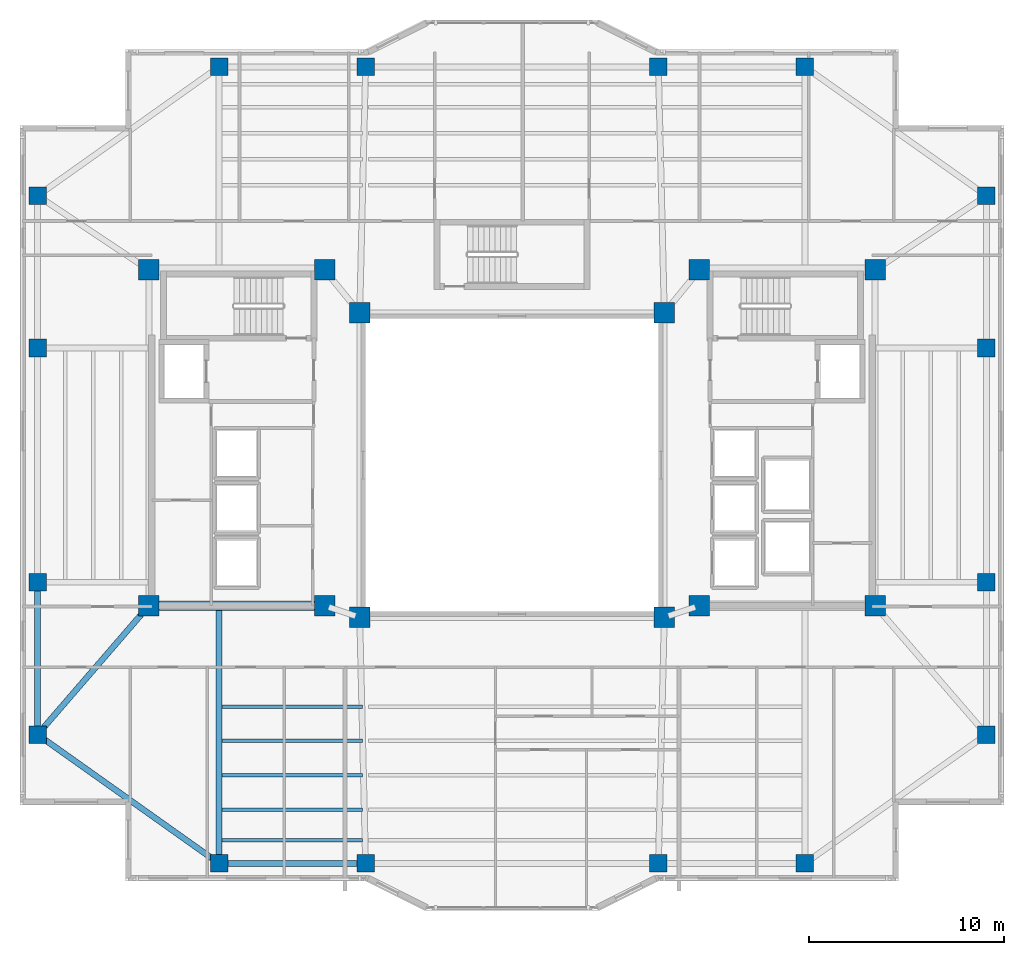
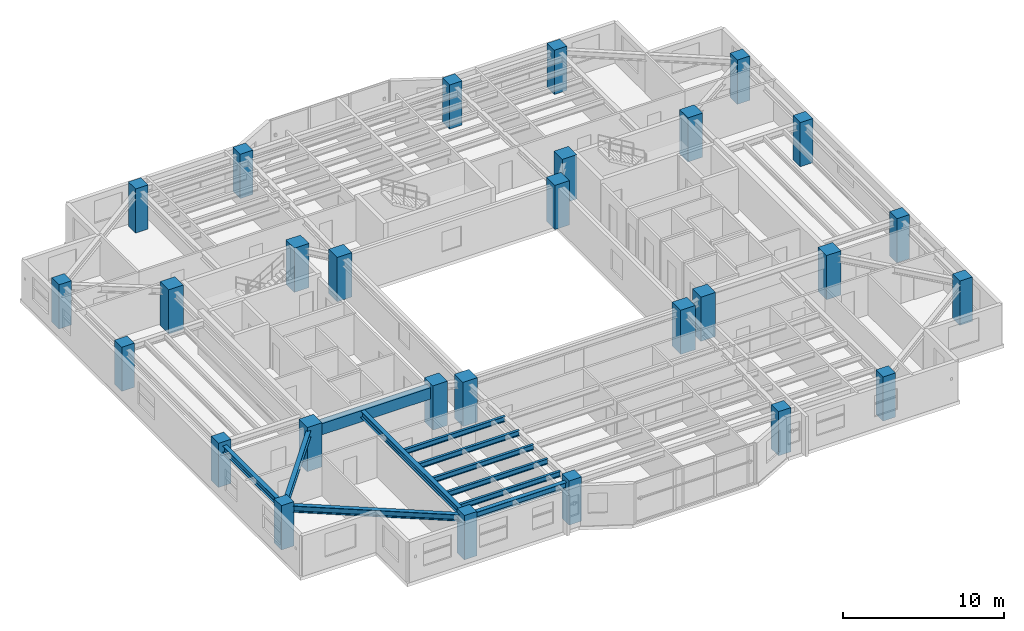
# One storey, part 1 of 15: 28 columns, 11 beams.
"""IFC4 building model written with IfcOpenShell, lengths in metres."""

from ifc_helpers import new_model, si_unit, direction, frame, origin, origin_2d, place, context, subcontext, project, spatial, rectangle, i_section, extrude, material, material_profile, profile_set, type_object, element, save


model = new_model("IFC4")

# Units and contexts
model_context = context("Model", 3, precision=1e-05, world=origin(), true_north=direction((0.0, 1.0)))
body_context = subcontext(model_context, "Body", "Model", "MODEL_VIEW")
ifc_project = project(units=[si_unit("LENGTHUNIT", "METRE"), si_unit("AREAUNIT", "SQUARE_METRE"), si_unit("VOLUMEUNIT", "CUBIC_METRE"), si_unit("PLANEANGLEUNIT", "RADIAN"), si_unit("MASSUNIT", "GRAM", prefix="KILO")], contexts=[model_context])

# Site, building, storey
site_placement = place(None, origin())
site = spatial("IfcSite", under=ifc_project, at=site_placement, CompositionType="ELEMENT")
building_placement = place(site_placement, origin())
building = spatial("IfcBuilding", under=site, at=building_placement, Name="Tarnavaz Court Tower", CompositionType="ELEMENT")
storey_placement = place(building_placement, frame((0.0, 0.0, 169.449951171875)))
storey = spatial("IfcBuildingStorey", under=building, at=storey_placement, Name="L46", CompositionType="ELEMENT", Elevation=169.449951171875)

# Columns
ifc_material_1 = material(Name="Concrete C60/75", Category="concrete")
ifc_material_profile_1 = material_profile(ifc_material_1, rectangle(XDim=1.050048828125, YDim=1.050048828125, at=origin_2d()), Name="RC 1050X1050")
ifc_profile_set_1 = profile_set([ifc_material_profile_1], Name="Concrete C60/75")
column_type_1 = type_object("IfcColumnType", Name="CL-RC1050", PredefinedType="COLUMN", material=ifc_profile_set_1)
for number, where, z_axis, x_axis, name in (
    (1, (-7.800048828125, -7.800048828125, 0.0), (0.0, 0.0, 1.0), (1.0, 0.0, 0.0), "L46 Column IW-SW"),
    (2, (7.800048828125, -7.800048828125, 0.0), (0.0, 0.0, 1.0), (1.0, 0.0, 0.0), "L46 Column IW-SE"),
    (3, (-7.800048828125, 7.800048828125, 0.0), (0.0, 0.0, 1.0), (1.0, 0.0, 0.0), "L46 Column IW-NW"),
    (4, (7.800048828125, 7.800048828125, 0.0), (0.0, 0.0, 1.0), (1.0, 0.0, 0.0), "L46 Column IW-NE"),
    (5, (-9.60009765625, -7.199951171875, 0.0), (0.0, 0.0, 1.0), (1.0, 0.0, 0.0), "L46 Column CW-SI"),
    (6, (-9.60009765625, 10.0, 0.0), (0.0, 0.0, 1.0), (1.0, 0.0, 0.0), "L46 Column CW-NI"),
    (7, (9.60009765625, -7.199951171875, 0.0), (0.0, 0.0, 1.0), (1.0, 0.0, 0.0), "L46 Column CE-SI"),
    (8, (9.60009765625, 10.0, 0.0), (0.0, 0.0, 1.0), (1.0, 0.0, 0.0), "L46 Column CE-NI"),
    (9, (-18.60009765625, -7.199951171875, 0.0), (0.0, 0.0, 1.0), (1.0, 0.0, 0.0), "L46 Column CW-SO"),
    (10, (-18.60009765625, 10.0, 0.0), (0.0, 0.0, 1.0), (1.0, 0.0, 0.0), "L46 Column CW-NO"),
    (11, (18.60009765625, -7.199951171875, 0.0), (0.0, 0.0, 1.0), (1.0, 0.0, 0.0), "L46 Column CE-SO"),
    (12, (18.60009765625, 10.0, 0.0), (0.0, 0.0, 1.0), (1.0, 0.0, 0.0), "L46 Column CE-NO"),
):
    element("IfcColumn", number, at=place(storey_placement, frame(where, z_axis=z_axis, x_axis=x_axis)), inside=storey, type_object=column_type_1, Name=name, PredefinedType="COLUMN", context=body_context, shape_type="SweptSolid", body=[
        extrude(rectangle(XDim=1.050048828125, YDim=1.050048828125, at=origin_2d()), origin(), (0.0, 0.0, 1.0), 3.35009765625),
    ])
ifc_material_2 = material(Name="Concrete C50/60", Category="concrete")
ifc_material_profile_2 = material_profile(ifc_material_2, rectangle(XDim=0.89990234375, YDim=0.89990234375, at=origin_2d()), Name="RC 900X900")
ifc_profile_set_2 = profile_set([ifc_material_profile_2], Name="Concrete C50/60")
column_type_2 = type_object("IfcColumnType", Name="CL-RC900", PredefinedType="COLUMN", material=ifc_profile_set_2)
for number, where, z_axis, x_axis, name in (
    (13, (-15.0, 20.39990234375, 0.0), (0.0, 0.0, 1.0), (1.0, 0.0, 0.0), "L46 Column PN-1"),
    (14, (-7.5, 20.39990234375, 0.0), (0.0, 0.0, 1.0), (1.0, 0.0, 0.0), "L46 Column PN-2"),
    (15, (7.5, 20.39990234375, 0.0), (0.0, 0.0, 1.0), (1.0, 0.0, 0.0), "L46 Column PN-3"),
    (16, (15.0, 20.39990234375, 0.0), (0.0, 0.0, 1.0), (1.0, 0.0, 0.0), "L46 Column PN-4"),
    (17, (-15.0, -20.39990234375, 0.0), (0.0, 0.0, 1.0), (1.0, 0.0, 0.0), "L46 Column PS-1"),
    (18, (-7.5, -20.39990234375, 0.0), (0.0, 0.0, 1.0), (1.0, 0.0, 0.0), "L46 Column PS-2"),
    (19, (7.5, -20.39990234375, 0.0), (0.0, 0.0, 1.0), (1.0, 0.0, 0.0), "L46 Column PS-3"),
    (20, (15.0, -20.39990234375, 0.0), (0.0, 0.0, 1.0), (1.0, 0.0, 0.0), "L46 Column PS-4"),
    (21, (24.300048828125, -13.800048828125, 0.0), (0.0, 0.0, 1.0), (1.0, 0.0, 0.0), "L46 Column PE-1"),
    (22, (24.300048828125, -6.0, 0.0), (0.0, 0.0, 1.0), (1.0, 0.0, 0.0), "L46 Column PE-2"),
    (23, (24.300048828125, 6.0, 0.0), (0.0, 0.0, 1.0), (1.0, 0.0, 0.0), "L46 Column PE-3"),
    (24, (24.300048828125, 13.800048828125, 0.0), (0.0, 0.0, 1.0), (1.0, 0.0, 0.0), "L46 Column PE-4"),
    (25, (-24.300048828125, -13.800048828125, 0.0), (0.0, 0.0, 1.0), (1.0, 0.0, 0.0), "L46 Column PW-1"),
    (26, (-24.300048828125, -6.0, 0.0), (0.0, 0.0, 1.0), (1.0, 0.0, 0.0), "L46 Column PW-2"),
    (27, (-24.300048828125, 6.0, 0.0), (0.0, 0.0, 1.0), (1.0, 0.0, 0.0), "L46 Column PW-3"),
    (28, (-24.300048828125, 13.800048828125, 0.0), (0.0, 0.0, 1.0), (1.0, 0.0, 0.0), "L46 Column PW-4"),
):
    element("IfcColumn", number, at=place(storey_placement, frame(where, z_axis=z_axis, x_axis=x_axis)), inside=storey, type_object=column_type_2, Name=name, PredefinedType="COLUMN", context=body_context, shape_type="SweptSolid", body=[
        extrude(rectangle(XDim=0.89990234375, YDim=0.89990234375, at=origin_2d()), origin(), (0.0, 0.0, 1.0), 3.35009765625),
    ])

# Beams
ifc_material_profile_3 = material_profile(ifc_material_2, rectangle(XDim=0.5, YDim=0.85009765625, at=origin_2d()), Name="RC 500X850")
ifc_profile_set_3 = profile_set([ifc_material_profile_3], Name="Concrete C50/60")
beam_type_1 = type_object("IfcBeamType", Name="BM-CB850", PredefinedType="LINTEL", material=ifc_profile_set_3)
beam_1_placement = place(storey_placement, frame((-18.3798828125, -7.199951171875, 2.625), z_axis=(1.0, 0.0, 0.0), x_axis=(0.0, 1.0, 0.0)))
element("IfcBeam", 29, at=beam_1_placement, inside=storey, type_object=beam_type_1, Name="L46 Beam IN-CW-SO-CW-SI", PredefinedType="LINTEL", context=body_context, shape_type="SweptSolid", body=[
    extrude(rectangle(XDim=0.5, YDim=0.85009765625, at=origin_2d()), origin(), (0.0, 0.0, 1.0), 8.559814453125),
])
ifc_material_3 = material(Name="Steel S355", Category="steel")
ifc_material_profile_4 = material_profile(ifc_material_3, i_section(OverallWidth=0.300048828125, OverallDepth=0.5, WebThickness=0.014404296875, FlangeThickness=0.028076171875, FilletRadius=0.027099609375, at=origin_2d()), Name="HEB 500")
ifc_profile_set_4 = profile_set([ifc_material_profile_4], Name="Steel S355")
beam_type_2 = type_object("IfcBeamType", Name="BM-G-HEB500", PredefinedType="USERDEFINED", material=ifc_profile_set_4)
beam_2_placement = place(storey_placement, frame((-15.0, -7.239990234375, 2.800048828125), z_axis=(0.0, -1.0, 0.0), x_axis=(1.0, 0.0, 0.0)))
element("IfcBeam", 30, at=beam_2_placement, inside=storey, type_object=beam_type_2, Name="L46 Beam RG-05", ObjectType="GIRDER", PredefinedType="USERDEFINED", context=body_context, shape_type="SweptSolid", body=[
    extrude(i_section(OverallWidth=0.300048828125, OverallDepth=0.5, WebThickness=0.014404296875, FlangeThickness=0.028076171875, FilletRadius=0.027099609375, at=origin_2d()), origin(), (0.0, 0.0, 1.0), 12.93994140625),
])
beam_3_placement = place(storey_placement, frame((-18.743896484375, -7.366455078125, 2.800048828125), z_axis=(-0.653610659012, -0.756830962914, 0.0), x_axis=(0.756830962914, -0.653610659012, 0.0)))
element("IfcBeam", 31, at=beam_3_placement, inside=storey, type_object=beam_type_2, Name="L46 Beam RG-15", ObjectType="GIRDER", PredefinedType="USERDEFINED", context=body_context, shape_type="SweptSolid", body=[
    extrude(i_section(OverallWidth=0.300048828125, OverallDepth=0.5, WebThickness=0.014404296875, FlangeThickness=0.028076171875, FilletRadius=0.027099609375, at=origin_2d()), origin(), (0.0, 0.0, 1.0), 8.28076171875),
])
ifc_material_profile_5 = material_profile(ifc_material_3, i_section(OverallWidth=0.179931640625, OverallDepth=0.39990234375, WebThickness=0.008544921875, FlangeThickness=0.013427734375, FilletRadius=0.02099609375, at=origin_2d()), Name="IPE 400")
ifc_profile_set_5 = profile_set([ifc_material_profile_5], Name="Steel S355")
beam_type_3 = type_object("IfcBeamType", Name="BM-J-IPE400", PredefinedType="JOIST", material=ifc_profile_set_5)
for number, where, z_axis, x_axis, name in (
    (32, (-14.85009765625, -12.364013671875, 2.85009765625), (1.0, 0.0, 0.0), (0.0, 1.0, 0.0), "L46 Beam JS1-1"),
    (33, (-14.85009765625, -14.1279296875, 2.85009765625), (1.0, 0.0, 0.0), (0.0, 1.0, 0.0), "L46 Beam JS2-1"),
    (34, (-14.85009765625, -15.89208984375, 2.85009765625), (1.0, 0.0, 0.0), (0.0, 1.0, 0.0), "L46 Beam JS3-1"),
    (35, (-14.85009765625, -17.656005859375, 2.85009765625), (1.0, 0.0, 0.0), (0.0, 1.0, 0.0), "L46 Beam JS4-1"),
    (36, (-14.85009765625, -19.22412109375, 2.85009765625), (1.0, 0.0, 0.0), (0.0, 1.0, 0.0), "L46 Beam JS5-1"),
):
    element("IfcBeam", number, at=place(storey_placement, frame(where, z_axis=z_axis, x_axis=x_axis)), inside=storey, type_object=beam_type_3, Name=name, PredefinedType="JOIST", context=body_context, shape_type="SweptSolid", body=[
        extrude(i_section(OverallWidth=0.179931640625, OverallDepth=0.39990234375, WebThickness=0.008544921875, FlangeThickness=0.013427734375, FilletRadius=0.02099609375, at=origin_2d()), origin(), (0.0, 0.0, 1.0), 7.2001953125),
    ])
ifc_material_profile_6 = material_profile(ifc_material_3, i_section(OverallWidth=0.300048828125, OverallDepth=0.489990234375, WebThickness=0.011962890625, FlangeThickness=0.02294921875, FilletRadius=0.027099609375, at=origin_2d()), Name="HEA 500")
ifc_profile_set_6 = profile_set([ifc_material_profile_6], Name="Steel S355")
beam_type_4 = type_object("IfcBeamType", Name="BM-SP-HEA500", PredefinedType="SPANDREL", material=ifc_profile_set_6)
beam_4_placement = place(storey_placement, frame((-14.780029296875, -20.39990234375, 2.804931640625), z_axis=(1.0, 0.0, 0.0), x_axis=(0.0, 1.0, 0.0)))
element("IfcBeam", 37, at=beam_4_placement, inside=storey, type_object=beam_type_4, Name="L46 Beam PR-PS-1-PS-2", PredefinedType="SPANDREL", context=body_context, shape_type="SweptSolid", body=[
    extrude(i_section(OverallWidth=0.300048828125, OverallDepth=0.489990234375, WebThickness=0.011962890625, FlangeThickness=0.02294921875, FilletRadius=0.027099609375, at=origin_2d()), origin(), (0.0, 0.0, 1.0), 7.06005859375),
])
beam_5_placement = place(storey_placement, frame((-24.300048828125, -13.580078125, 2.804931640625), z_axis=(0.0, 1.0, 0.0), x_axis=(-1.0, 0.0, 0.0)))
element("IfcBeam", 38, at=beam_5_placement, inside=storey, type_object=beam_type_4, Name="L46 Beam PR-PW-1-PW-2", PredefinedType="SPANDREL", context=body_context, shape_type="SweptSolid", body=[
    extrude(i_section(OverallWidth=0.300048828125, OverallDepth=0.489990234375, WebThickness=0.011962890625, FlangeThickness=0.02294921875, FilletRadius=0.027099609375, at=origin_2d()), origin(), (0.0, 0.0, 1.0), 7.360107421875),
])
beam_6_placement = place(storey_placement, frame((-15.179443359375, -20.272705078125, 2.804931640625), z_axis=(-0.815502059396, 0.57875417158, 0.0), x_axis=(-0.57875417158, -0.815502059396, 0.0)))
element("IfcBeam", 39, at=beam_6_placement, inside=storey, type_object=beam_type_4, Name="L46 Beam PR-PS-1-PW-1", PredefinedType="SPANDREL", context=body_context, shape_type="SweptSolid", body=[
    extrude(i_section(OverallWidth=0.300048828125, OverallDepth=0.489990234375, WebThickness=0.011962890625, FlangeThickness=0.02294921875, FilletRadius=0.027099609375, at=origin_2d()), origin(), (0.0, 0.0, 1.0), 10.964111328125),
])

save(model, "model.ifc")
